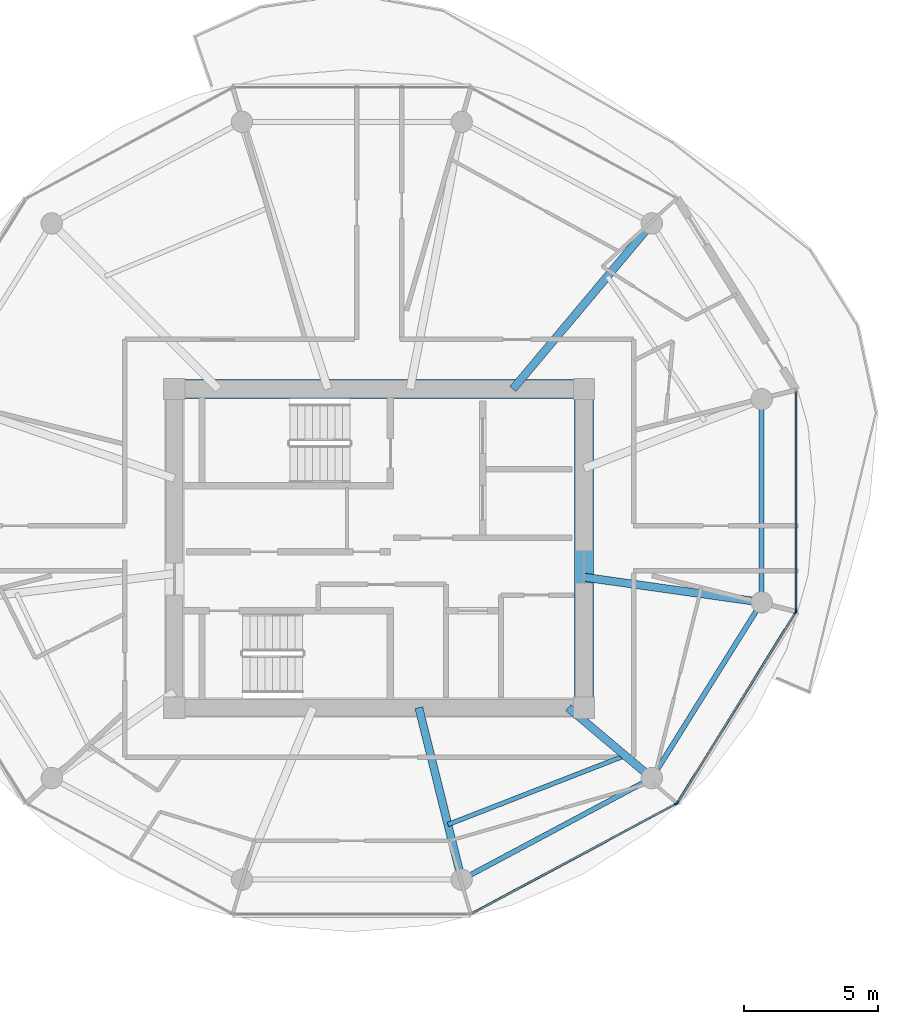
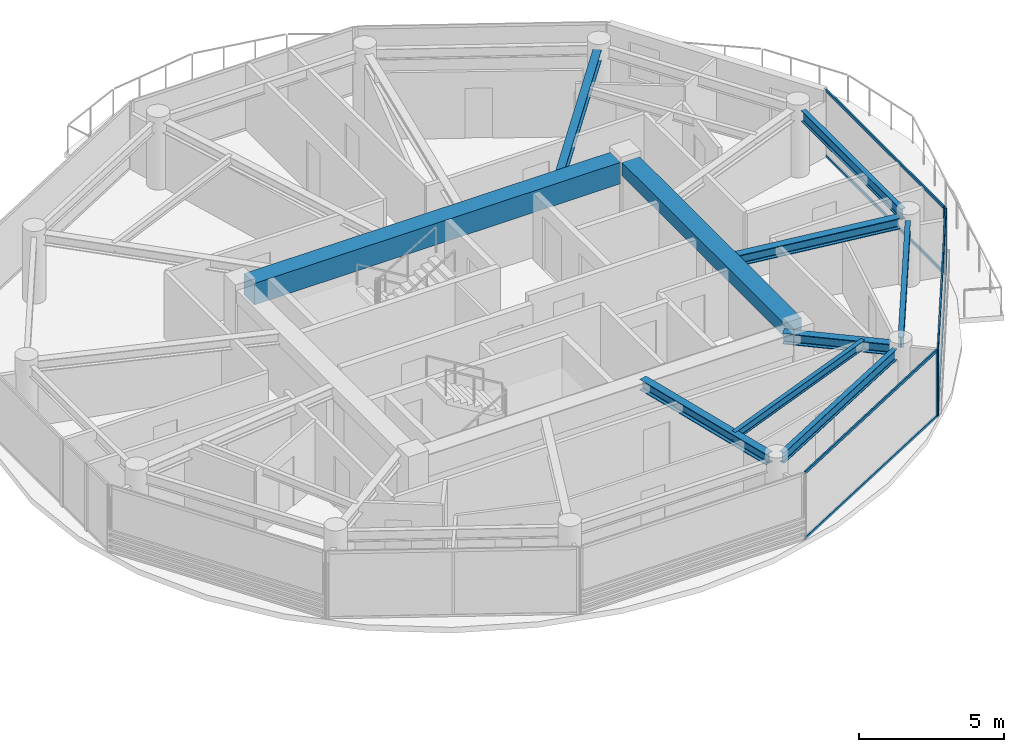
# One storey, part 9 of 23: 10 beams, 10 members, 3 elements without a shape of their own.
"""IFC4 building model written with IfcOpenShell, lengths in metres."""

from ifc_helpers import new_model, si_unit, direction, frame, origin, origin_2d, place, context, subcontext, project, spatial, rectangle, i_section, extrude, source, transform, mapped, material, layer, layer_set, material_profile, profile_set, type_object, type_shapes, element, aggregate, save


model = new_model("IFC4")

# Units and contexts
model_context = context("Model", 3, precision=1e-05, world=origin(), true_north=direction((0.0, 1.0)))
body_context = subcontext(model_context, "Body", "Model", "MODEL_VIEW")
ifc_project = project(units=[si_unit("LENGTHUNIT", "METRE"), si_unit("AREAUNIT", "SQUARE_METRE"), si_unit("VOLUMEUNIT", "CUBIC_METRE"), si_unit("PLANEANGLEUNIT", "RADIAN"), si_unit("MASSUNIT", "GRAM", prefix="KILO")], contexts=[model_context])

# Site, building, storey
site_placement = place(None, origin())
site = spatial("IfcSite", under=ifc_project, at=site_placement, CompositionType="ELEMENT")
building_placement = place(site_placement, origin())
building = spatial("IfcBuilding", under=site, at=building_placement, Name="Norrkilde Senior Care Towers", CompositionType="ELEMENT")
storey_placement = place(building_placement, frame((0.0, 0.0, 173.949951171875)))
storey = spatial("IfcBuildingStorey", under=building, at=storey_placement, Name="L54", CompositionType="ELEMENT", Elevation=173.949951171875)

# Beams
ifc_material_1 = material(Name="Concrete C60/75", Category="concrete")
ifc_material_profile_1 = material_profile(ifc_material_1, rectangle(XDim=0.699951171875, YDim=0.89990234375, at=origin_2d()), Name="RC BM 700x900")
ifc_profile_set_1 = profile_set([ifc_material_profile_1], Name="Concrete C60/75")
beam_type_1 = type_object("IfcBeamType", Name="Core Coupling Girder 700x900", PredefinedType="USERDEFINED", material=ifc_profile_set_1)
shared_shape_1 = source(origin(), body_context, "Body", "SweptSolid", [
    extrude(rectangle(XDim=0.699951171875, YDim=0.89990234375, at=origin_2d()), origin(), (0.0, 0.0, 1.0), 14.5400390625),
])
type_shapes(beam_type_1, [shared_shape_1])
beam_1_placement = place(storey_placement, frame((20.72998046875, 5.949951171875, 2.360107421875), z_axis=(1.0, 0.0, 0.0), x_axis=(0.0, 1.0, 0.0)))
element("IfcBeam", 1, at=beam_1_placement, inside=storey, type_object=beam_type_1, Name="L54 Core E N Coupling Girder", ObjectType="GIRDER", PredefinedType="USERDEFINED", context=body_context, shape_type="MappedRepresentation", body=[
    mapped(shared_shape_1, transform((0.0, 0.0, 0.0), x_axis=(1.0, 0.0, 0.0), y_axis=(0.0, 1.0, 0.0), z_axis=(0.0, 0.0, 1.0), scale=1.0)),
])
ifc_material_profile_2 = material_profile(ifc_material_1, rectangle(XDim=0.699951171875, YDim=0.550048828125, at=origin_2d()), Name="RC BM 700x550")
ifc_profile_set_2 = profile_set([ifc_material_profile_2], Name="Concrete C60/75")
beam_type_2 = type_object("IfcBeamType", Name="Core Portal Coupling Beam 700x550", PredefinedType="USERDEFINED", material=ifc_profile_set_2)
shared_shape_2 = source(origin(), body_context, "Body", "SweptSolid", [
    extrude(rectangle(XDim=0.699951171875, YDim=0.550048828125, at=origin_2d()), origin(), (0.0, 0.0, 1.0), 11.14013671875),
])
type_shapes(beam_type_2, [shared_shape_2])
beam_2_placement = place(storey_placement, frame((35.64990234375, -5.570068359375, 2.53515625), z_axis=(0.0, 1.0, 0.0), x_axis=(-1.0, 0.0, 0.0)))
element("IfcBeam", 2, at=beam_2_placement, inside=storey, type_object=beam_type_2, Name="L54 Core E E Coupling Girder", ObjectType="GIRDER", PredefinedType="USERDEFINED", context=body_context, shape_type="MappedRepresentation", body=[
    mapped(shared_shape_2, transform((0.0, 0.0, 0.0), x_axis=(1.0, 0.0, 0.0), y_axis=(0.0, 1.0, 0.0), z_axis=(0.0, 0.0, 1.0), scale=1.0)),
])
ifc_material_2 = material(Name="Steel S355", Category="steel")
ifc_material_profile_3 = material_profile(ifc_material_2, i_section(OverallWidth=0.300048828125, OverallDepth=0.449951171875, WebThickness=0.013916015625, FlangeThickness=0.02587890625, FilletRadius=0.027099609375, at=origin_2d()), Name="HEB 450")
ifc_profile_set_3 = profile_set([ifc_material_profile_3], Name="Steel S355")
beam_type_3 = type_object("IfcBeamType", Name="Radial Floor Beam Z3 HEB450", PredefinedType="BEAM", material=ifc_profile_set_3)
shared_shape_3 = source(origin(), body_context, "Body", "SweptSolid", [
    extrude(i_section(OverallWidth=0.300048828125, OverallDepth=0.449951171875, WebThickness=0.013916015625, FlangeThickness=0.02587890625, FilletRadius=0.027099609375, at=origin_2d()), origin(), (0.0, 0.0, 1.0), 7.71337890625),
])
beam_3_placement = place(storey_placement, frame((32.992919921875, 5.949951171875, 2.5849609375), z_axis=(0.642808239864, 0.766027131872, 0.0), x_axis=(-0.766027131872, 0.642808239864, 0.0)))
element("IfcBeam", 3, at=beam_3_placement, inside=storey, type_object=beam_type_3, Name="L54 Drum E Radial Floor Beam 02", PredefinedType="BEAM", context=body_context, shape_type="MappedRepresentation", body=[
    mapped(shared_shape_3, transform((0.0, 0.0, 0.0), x_axis=(1.0, 0.0, 0.0), y_axis=(0.0, 1.0, 0.0), z_axis=(0.0, 0.0, 1.0), scale=1.0)),
])
ifc_material_profile_4 = material_profile(ifc_material_2, i_section(OverallWidth=0.18994140625, OverallDepth=0.449951171875, WebThickness=0.009521484375, FlangeThickness=0.0146484375, FilletRadius=0.02099609375, at=origin_2d()), Name="IPE 450")
ifc_profile_set_4 = profile_set([ifc_material_profile_4], Name="Steel S355")
beam_type_4 = type_object("IfcBeamType", Name="Perimeter Ring Spandrel Z3 IPE450", PredefinedType="SPANDREL", material=ifc_profile_set_4)
shared_shape_4 = source(origin(), body_context, "Body", "SweptSolid", [
    extrude(i_section(OverallWidth=0.18994140625, OverallDepth=0.449951171875, WebThickness=0.009521484375, FlangeThickness=0.0146484375, FilletRadius=0.02099609375, at=origin_2d()), origin(), (0.0, 0.0, 1.0), 6.86328125),
])
beam_4_placement = place(storey_placement, frame((42.284912109375, -1.65625, 2.5849609375), z_axis=(0.0, 1.0, 0.0), x_axis=(-1.0, 0.0, 0.0)))
element("IfcBeam", 4, at=beam_4_placement, inside=storey, type_object=beam_type_4, Name="L54 Drum E Perimeter Spandrel 12", PredefinedType="SPANDREL", context=body_context, shape_type="MappedRepresentation", body=[
    mapped(shared_shape_4, transform((0.0, 0.0, 0.0), x_axis=(1.0, 0.0, 0.0), y_axis=(0.0, 1.0, 0.0), z_axis=(0.0, 0.0, 1.0), scale=1.0)),
])
shared_shape_5 = source(origin(), body_context, "Body", "SweptSolid", [
    extrude(i_section(OverallWidth=0.18994140625, OverallDepth=0.449951171875, WebThickness=0.009521484375, FlangeThickness=0.0146484375, FilletRadius=0.02099609375, at=origin_2d()), origin(), (0.0, 0.0, 1.0), 7.023193359375),
])
beam_5_placement = place(storey_placement, frame((38.373291015625, -8.2783203125, 2.5849609375), z_axis=(0.529805197269, 0.848119362441, 0.0), x_axis=(-0.848119362441, 0.529805197269, 0.0)))
element("IfcBeam", 5, at=beam_5_placement, inside=storey, type_object=beam_type_4, Name="L54 Drum E Perimeter Spandrel 11", PredefinedType="SPANDREL", context=body_context, shape_type="MappedRepresentation", body=[
    mapped(shared_shape_5, transform((0.0, 0.0, 0.0), x_axis=(1.0, 0.0, 0.0), y_axis=(0.0, 1.0, 0.0), z_axis=(0.0, 0.0, 1.0), scale=1.0)),
])
shared_shape_6 = source(origin(), body_context, "Body", "SweptSolid", [
    extrude(i_section(OverallWidth=0.300048828125, OverallDepth=0.449951171875, WebThickness=0.013916015625, FlangeThickness=0.02587890625, FilletRadius=0.027099609375, at=origin_2d()), origin(), (0.0, 0.0, 1.0), 6.3408203125),
])
beam_6_placement = place(storey_placement, frame((35.64990234375, -1.079833984375, 2.5849609375), z_axis=(0.990184519576, -0.139766294905, 0.0), x_axis=(0.139766294905, 0.990184519576, 0.0)))
element("IfcBeam", 6, at=beam_6_placement, inside=storey, type_object=beam_type_3, Name="L54 Drum E Radial Floor Beam 12", PredefinedType="BEAM", context=body_context, shape_type="MappedRepresentation", body=[
    mapped(shared_shape_6, transform((0.0, 0.0, 0.0), x_axis=(1.0, 0.0, 0.0), y_axis=(0.0, 1.0, 0.0), z_axis=(0.0, 0.0, 1.0), scale=1.0)),
])
shared_shape_7 = source(origin(), body_context, "Body", "SweptSolid", [
    extrude(i_section(OverallWidth=0.18994140625, OverallDepth=0.449951171875, WebThickness=0.009521484375, FlangeThickness=0.0146484375, FilletRadius=0.02099609375, at=origin_2d()), origin(), (0.0, 0.0, 1.0), 7.333984375),
])
type_shapes(beam_type_4, [shared_shape_4, shared_shape_5, shared_shape_7])
beam_7_placement = place(storey_placement, frame((31.394775390625, -12.2060546875, 2.5849609375), z_axis=(0.882234038987, 0.470811109101, 0.0), x_axis=(-0.470811109101, 0.882234038987, 0.0)))
element("IfcBeam", 7, at=beam_7_placement, inside=storey, type_object=beam_type_4, Name="L54 Drum E Perimeter Spandrel 10", PredefinedType="SPANDREL", context=body_context, shape_type="MappedRepresentation", body=[
    mapped(shared_shape_7, transform((0.0, 0.0, 0.0), x_axis=(1.0, 0.0, 0.0), y_axis=(0.0, 1.0, 0.0), z_axis=(0.0, 0.0, 1.0), scale=1.0)),
])
shared_shape_8 = source(origin(), body_context, "Body", "SweptSolid", [
    extrude(i_section(OverallWidth=0.300048828125, OverallDepth=0.449951171875, WebThickness=0.013916015625, FlangeThickness=0.02587890625, FilletRadius=0.027099609375, at=origin_2d()), origin(), (0.0, 0.0, 1.0), 3.7265625),
])
beam_8_placement = place(storey_placement, frame((35.058349609375, -5.949951171875, 2.5849609375), z_axis=(0.764567902106, -0.644543189453, 0.0), x_axis=(0.644543189453, 0.764567902106, 0.0)))
element("IfcBeam", 8, at=beam_8_placement, inside=storey, type_object=beam_type_3, Name="L54 Drum E Radial Floor Beam 11", PredefinedType="BEAM", context=body_context, shape_type="MappedRepresentation", body=[
    mapped(shared_shape_8, transform((0.0, 0.0, 0.0), x_axis=(1.0, 0.0, 0.0), y_axis=(0.0, 1.0, 0.0), z_axis=(0.0, 0.0, 1.0), scale=1.0)),
])
shared_shape_9 = source(origin(), body_context, "Body", "SweptSolid", [
    extrude(i_section(OverallWidth=0.300048828125, OverallDepth=0.449951171875, WebThickness=0.013916015625, FlangeThickness=0.02587890625, FilletRadius=0.027099609375, at=origin_2d()), origin(), (0.0, 0.0, 1.0), 6.26123046875),
])
type_shapes(beam_type_3, [shared_shape_3, shared_shape_6, shared_shape_8, shared_shape_9])
beam_9_placement = place(storey_placement, frame((29.4794921875, -5.949951171875, 2.5849609375), z_axis=(0.241324375921, -0.970444509277, 0.0), x_axis=(0.970444509277, 0.241324375921, 0.0)))
element("IfcBeam", 9, at=beam_9_placement, inside=storey, type_object=beam_type_3, Name="L54 Drum E Radial Floor Beam 10", PredefinedType="BEAM", context=body_context, shape_type="MappedRepresentation", body=[
    mapped(shared_shape_9, transform((0.0, 0.0, 0.0), x_axis=(1.0, 0.0, 0.0), y_axis=(0.0, 1.0, 0.0), z_axis=(0.0, 0.0, 1.0), scale=1.0)),
])
ifc_material_profile_5 = material_profile(ifc_material_2, i_section(OverallWidth=0.169921875, OverallDepth=0.360107421875, WebThickness=0.008056640625, FlangeThickness=0.0126953125, FilletRadius=0.01806640625, at=origin_2d()), Name="IPE 360")
ifc_profile_set_5 = profile_set([ifc_material_profile_5], Name="Steel S355")
beam_type_5 = type_object("IfcBeamType", Name="Secondary Floor Joist IPE360", PredefinedType="JOIST", material=ifc_profile_set_5)
shared_shape_10 = source(origin(), body_context, "Body", "SweptSolid", [
    extrude(i_section(OverallWidth=0.169921875, OverallDepth=0.360107421875, WebThickness=0.008056640625, FlangeThickness=0.0126953125, FilletRadius=0.01806640625, at=origin_2d()), origin(), (0.0, 0.0, 1.0), 7.1015625),
])
type_shapes(beam_type_5, [shared_shape_10])
beam_10_placement = place(storey_placement, frame((30.56591796875, -10.3193359375, 2.630126953125), z_axis=(0.931761231292, 0.363071629106, 0.0), x_axis=(-0.363071629106, 0.931761231292, 0.0)))
element("IfcBeam", 10, at=beam_10_placement, inside=storey, type_object=beam_type_5, Name="L54 Drum E Secondary Floor Joist 4", PredefinedType="JOIST", context=body_context, shape_type="MappedRepresentation", body=[
    mapped(shared_shape_10, transform((0.0, 0.0, 0.0), x_axis=(1.0, 0.0, 0.0), y_axis=(0.0, 1.0, 0.0), z_axis=(0.0, 0.0, 1.0), scale=1.0)),
])

# Curtain wall, member
ifc_material_3 = material(Name="Triple Low-E Insulated Glazing", Category="glass")
ifc_layer = layer(ifc_material_3, 0.18994140625)
ifc_layer_set = layer_set([ifc_layer], Name="Triple Low-E Insulated Glazing")
curtain_wall_type = type_object("IfcCurtainWallType", Name="CW4 Zone 3 Senior Residence Curtain Wall", PredefinedType="NOTDEFINED", material=ifc_layer_set)
curtain_wall_1_placement = place(storey_placement, origin())
curtain_wall_1 = element("IfcCurtainWall", 11, at=curtain_wall_1_placement, inside=storey, type_object=curtain_wall_type, Name="L54 Drum E Curtain Wall 09", PredefinedType="NOTDEFINED")
ifc_material_4 = material(Name="Anodised Aluminium", Category="aluminium")
ifc_material_profile_6 = material_profile(ifc_material_4, rectangle(XDim=0.06494140625, YDim=0.14990234375, at=origin_2d()), Name="ALU MULL 65x150")
ifc_profile_set_6 = profile_set([ifc_material_profile_6], Name="Anodised Aluminium")
member_type_1 = type_object("IfcMemberType", Name="Curtain Wall Mullion Z3-Z4 65x150", PredefinedType="MULLION", material=ifc_profile_set_6)
shared_shape_11 = source(origin(), body_context, "Body", "SweptSolid", [
    extrude(rectangle(XDim=0.06494140625, YDim=0.14990234375, at=origin_2d()), origin(), (0.0, 0.0, 1.0), 2.81005859375),
])
type_shapes(member_type_1, [shared_shape_11])
member_1_placement = place(storey_placement, frame((39.094482421875, -9.53955078125, 0.0), z_axis=(0.0, 0.0, 1.0), x_axis=(0.47311715104, -0.880999524059, 0.0)))
member_1 = element("IfcMember", 12, at=member_1_placement, type_object=member_type_1, Name="CW-4 mullion 1", PredefinedType="MULLION", context=body_context, shape_type="MappedRepresentation", body=[
    mapped(shared_shape_11, transform((0.0, 0.0, 0.0), x_axis=(1.0, 0.0, 0.0), y_axis=(0.0, 1.0, 0.0), z_axis=(0.0, 0.0, 1.0), scale=1.0)),
])

# Curtain wall, members
curtain_wall_2_placement = place(storey_placement, origin())
curtain_wall_2 = element("IfcCurtainWall", 13, at=curtain_wall_2_placement, inside=storey, type_object=curtain_wall_type, Name="L54 Drum E Curtain Wall 10", PredefinedType="NOTDEFINED")
member_2_placement = place(storey_placement, frame((43.552490234375, -2.38818359375, 0.0), z_axis=(0.0, 0.0, 1.0), x_axis=(0.84963405474, -0.52737270789, 0.0)))
member_2 = element("IfcMember", 14, at=member_2_placement, type_object=member_type_1, Name="CW-4 mullion 1", PredefinedType="MULLION", context=body_context, shape_type="MappedRepresentation", body=[
    mapped(shared_shape_11, transform((0.0, 0.0, 0.0), x_axis=(1.0, 0.0, 0.0), y_axis=(0.0, 1.0, 0.0), z_axis=(0.0, 0.0, 1.0), scale=1.0)),
])
member_3_placement = place(storey_placement, frame((39.14013671875, -9.49658203125, 0.0), z_axis=(0.0, 0.0, 1.0), x_axis=(0.84963405474, -0.52737270789, 0.0)))
member_3 = element("IfcMember", 15, at=member_3_placement, type_object=member_type_1, Name="CW-4 mullion 2", PredefinedType="MULLION", context=body_context, shape_type="MappedRepresentation", body=[
    mapped(shared_shape_11, transform((0.0, 0.0, 0.0), x_axis=(1.0, 0.0, 0.0), y_axis=(0.0, 1.0, 0.0), z_axis=(0.0, 0.0, 1.0), scale=1.0)),
])

# Curtain wall, member
curtain_wall_3_placement = place(storey_placement, origin())
curtain_wall_3 = element("IfcCurtainWall", 16, at=curtain_wall_3_placement, inside=storey, type_object=curtain_wall_type, Name="L54 Drum E Curtain Wall 11", PredefinedType="NOTDEFINED")
member_4_placement = place(storey_placement, frame((43.569580078125, -2.328125, 0.0), z_axis=(0.0, 0.0, 1.0), x_axis=(1.0, 0.0, 0.0)))
member_4 = element("IfcMember", 17, at=member_4_placement, type_object=member_type_1, Name="CW-4 mullion 2", PredefinedType="MULLION", context=body_context, shape_type="MappedRepresentation", body=[
    mapped(shared_shape_11, transform((0.0, 0.0, 0.0), x_axis=(1.0, 0.0, 0.0), y_axis=(0.0, 1.0, 0.0), z_axis=(0.0, 0.0, 1.0), scale=1.0)),
])

# Member
ifc_material_profile_7 = material_profile(ifc_material_4, rectangle(XDim=0.06005859375, YDim=0.1201171875, at=origin_2d()), Name="ALU TRAN 60x120")
ifc_profile_set_7 = profile_set([ifc_material_profile_7], Name="Anodised Aluminium")
member_type_2 = type_object("IfcMemberType", Name="Curtain Wall Transom Typical 60x120", PredefinedType="USERDEFINED", material=ifc_profile_set_7)
shared_shape_12 = source(origin(), body_context, "Body", "SweptSolid", [
    extrude(rectangle(XDim=0.06005859375, YDim=0.1201171875, at=origin_2d()), origin(), (0.0, 0.0, 1.0), 8.301513671875),
])
member_5_placement = place(storey_placement, frame((43.535400390625, -2.415771484375, 0.030029296875), z_axis=(-0.527368718394, -0.849636531029, 0.0), x_axis=(0.849636531029, -0.527368718394, 0.0)))
member_5 = element("IfcMember", 18, at=member_5_placement, type_object=member_type_2, Name="CW-4 transom 1.1", ObjectType="TRANSOM", PredefinedType="USERDEFINED", context=body_context, shape_type="MappedRepresentation", body=[
    mapped(shared_shape_12, transform((0.0, 0.0, 0.0), x_axis=(1.0, 0.0, 0.0), y_axis=(0.0, 1.0, 0.0), z_axis=(0.0, 0.0, 1.0), scale=1.0)),
])

member_6_placement = place(storey_placement, frame((43.535400390625, -2.415771484375, 2.780029296875), z_axis=(-0.527368718394, -0.849636531029, 0.0), x_axis=(0.849636531029, -0.527368718394, 0.0)))
member_6 = element("IfcMember", 19, at=member_6_placement, type_object=member_type_2, Name="CW-4 transom 1.2", ObjectType="TRANSOM", PredefinedType="USERDEFINED", context=body_context, shape_type="MappedRepresentation", body=[
    mapped(shared_shape_12, transform((0.0, 0.0, 0.0), x_axis=(1.0, 0.0, 0.0), y_axis=(0.0, 1.0, 0.0), z_axis=(0.0, 0.0, 1.0), scale=1.0)),
])

aggregate(curtain_wall_2, [member_2, member_3, member_5, member_6])

shared_shape_13 = source(origin(), body_context, "Body", "SweptSolid", [
    extrude(rectangle(XDim=0.06005859375, YDim=0.1201171875, at=origin_2d()), origin(), (0.0, 0.0, 1.0), 8.612060546875),
])
member_7_placement = place(storey_placement, frame((39.06591796875, -9.554931640625, 0.030029296875), z_axis=(-0.881000337462, -0.473115636384, 0.0), x_axis=(0.473115636384, -0.881000337462, 0.0)))
member_7 = element("IfcMember", 20, at=member_7_placement, type_object=member_type_2, Name="CW-4 transom 1.1", ObjectType="TRANSOM", PredefinedType="USERDEFINED", context=body_context, shape_type="MappedRepresentation", body=[
    mapped(shared_shape_13, transform((0.0, 0.0, 0.0), x_axis=(1.0, 0.0, 0.0), y_axis=(0.0, 1.0, 0.0), z_axis=(0.0, 0.0, 1.0), scale=1.0)),
])

member_8_placement = place(storey_placement, frame((39.06591796875, -9.554931640625, 2.780029296875), z_axis=(-0.881000337462, -0.473115636384, 0.0), x_axis=(0.473115636384, -0.881000337462, 0.0)))
member_8 = element("IfcMember", 21, at=member_8_placement, type_object=member_type_2, Name="CW-4 transom 1.2", ObjectType="TRANSOM", PredefinedType="USERDEFINED", context=body_context, shape_type="MappedRepresentation", body=[
    mapped(shared_shape_13, transform((0.0, 0.0, 0.0), x_axis=(1.0, 0.0, 0.0), y_axis=(0.0, 1.0, 0.0), z_axis=(0.0, 0.0, 1.0), scale=1.0)),
])

aggregate(curtain_wall_1, [member_1, member_7, member_8])

shared_shape_14 = source(origin(), body_context, "Body", "SweptSolid", [
    extrude(rectangle(XDim=0.06005859375, YDim=0.1201171875, at=origin_2d()), origin(), (0.0, 0.0, 1.0), 8.141845703125),
])
type_shapes(member_type_2, [shared_shape_12, shared_shape_13, shared_shape_14])
member_9_placement = place(storey_placement, frame((43.569580078125, 5.84619140625, 0.030029296875), z_axis=(0.0, -1.0, 0.0), x_axis=(1.0, 0.0, 0.0)))
member_9 = element("IfcMember", 22, at=member_9_placement, type_object=member_type_2, Name="CW-4 transom 1.1", ObjectType="TRANSOM", PredefinedType="USERDEFINED", context=body_context, shape_type="MappedRepresentation", body=[
    mapped(shared_shape_14, transform((0.0, 0.0, 0.0), x_axis=(1.0, 0.0, 0.0), y_axis=(0.0, 1.0, 0.0), z_axis=(0.0, 0.0, 1.0), scale=1.0)),
])

member_10_placement = place(storey_placement, frame((43.569580078125, 5.84619140625, 2.780029296875), z_axis=(0.0, -1.0, 0.0), x_axis=(1.0, 0.0, 0.0)))
member_10 = element("IfcMember", 23, at=member_10_placement, type_object=member_type_2, Name="CW-4 transom 1.2", ObjectType="TRANSOM", PredefinedType="USERDEFINED", context=body_context, shape_type="MappedRepresentation", body=[
    mapped(shared_shape_14, transform((0.0, 0.0, 0.0), x_axis=(1.0, 0.0, 0.0), y_axis=(0.0, 1.0, 0.0), z_axis=(0.0, 0.0, 1.0), scale=1.0)),
])

aggregate(curtain_wall_3, [member_4, member_9, member_10])

save(model, "model.ifc")
